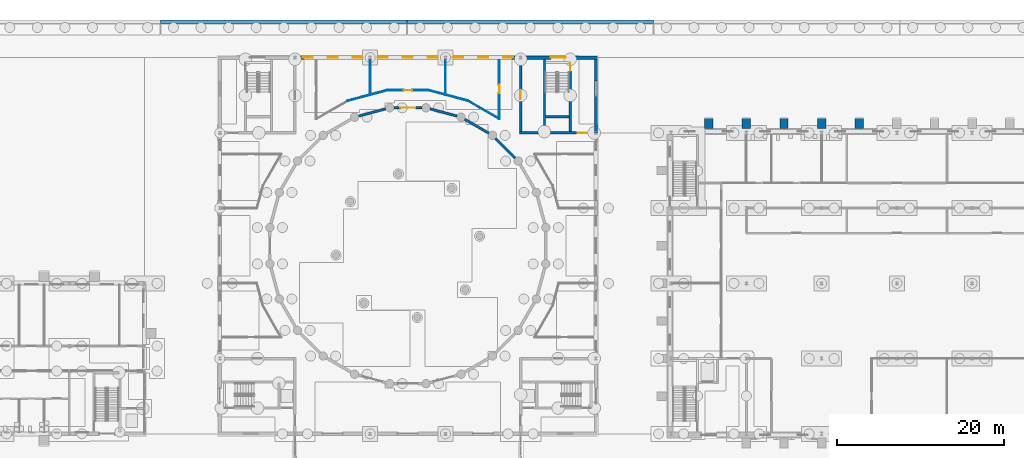
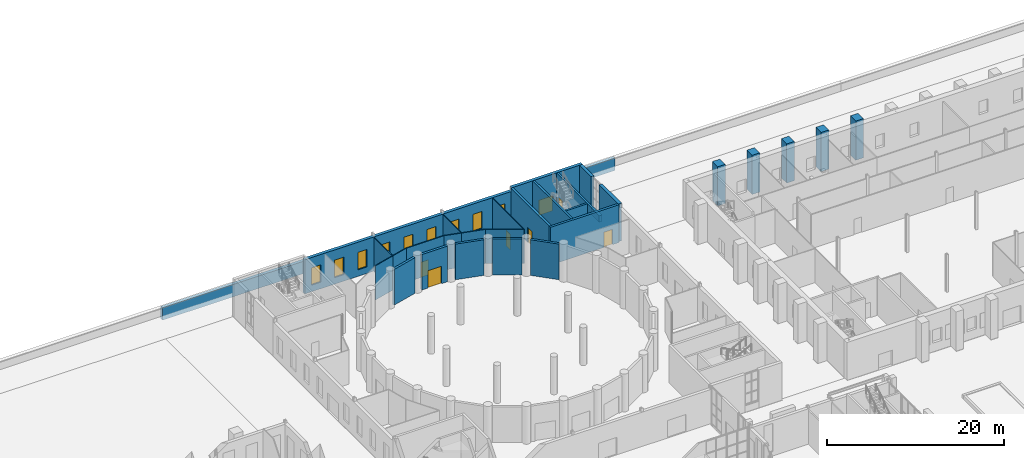
# One storey, part 109 of 168: 31 walls, 9 windows, 7 doors, 16 openings.
"""IFC4 building model written with IfcOpenShell, lengths in metres."""

from ifc_helpers import new_model, si_unit, direction, frame, frame_2d, origin, place, context, subcontext, project, spatial, rectangle, extrude, material, layer, layer_set, type_object, element, fill, save


model = new_model("IFC4")

# Units and contexts
model_context = context("Model", 3, precision=1e-05, world=origin(), true_north=direction((0.0, 1.0)))
body_context = subcontext(model_context, "Body", "Model", "MODEL_VIEW")
ifc_project = project(units=[si_unit("LENGTHUNIT", "METRE"), si_unit("AREAUNIT", "SQUARE_METRE"), si_unit("VOLUMEUNIT", "CUBIC_METRE"), si_unit("PLANEANGLEUNIT", "RADIAN"), si_unit("MASSUNIT", "GRAM", prefix="KILO")], contexts=[model_context])

# Site, building, storey
site_placement = place(None, origin())
site = spatial("IfcSite", under=ifc_project, at=site_placement, CompositionType="ELEMENT")
building_placement = place(site_placement, origin())
building = spatial("IfcBuilding", under=site, at=building_placement, Name="Golden Quay Civic Hall", CompositionType="ELEMENT")
storey_placement = place(building_placement, origin())
storey = spatial("IfcBuildingStorey", under=building, at=storey_placement, Name="L00", CompositionType="ELEMENT", Elevation=0.0)

# Walls
ifc_material_1 = material(Name="Concrete C40/50", Category="concrete")
ifc_layer_1 = layer(ifc_material_1, 0.39990234375)
ifc_layer_set_1 = layer_set([ifc_layer_1], Name="Boundary wall 400")
wall_type_1 = type_object("IfcWallType", Name="Boundary wall 400", PredefinedType="STANDARD", material=ifc_layer_set_1)
for number, where, z_axis, x_axis, name in (
    (1, (55.919921875, 112.300048828125, -0.60009765625), (0.0, 0.0, 1.0), (1.0, 0.0, 0.0), "Boundary wall run N3"),
    (2, (85.39990234375, 112.300048828125, -0.60009765625), (0.0, 0.0, 1.0), (1.0, 0.0, 0.0), "Boundary wall run N4"),
):
    element("IfcWall", number, at=place(storey_placement, frame(where, z_axis=z_axis, x_axis=x_axis)), inside=storey, type_object=wall_type_1, Name=name, PredefinedType="STANDARD", context=body_context, shape_type="SweptSolid", body=[
        extrude(rectangle(XDim=29.47998046875, YDim=0.39990234375, at=frame_2d((14.739990234375, 0.0))), origin(), (0.0, 0.0, 1.0), 1.7001953125),
    ])
ifc_material_2 = material(Name="Plasterboard on steel studs", Category="steel")
ifc_layer_2 = layer(ifc_material_2, 0.10009765625)
ifc_layer_set_2 = layer_set([ifc_layer_2], Name="Partition 100 stud")
wall_type_2 = type_object("IfcWallType", Name="Partition 100 stud", PredefinedType="PARTITIONING", material=ifc_layer_set_2)
for number, where, z_axis, x_axis, name in (
    (3, (81.0, 103.55029296875, 0.0), (0.0, 0.0, 1.0), (0.0, 1.0, 0.0), "Partition 9"),
    (4, (90.0, 103.55029296875, 0.0), (0.0, 0.0, 1.0), (0.0, 1.0, 0.0), "Partition 13"),
):
    element("IfcWall", number, at=place(storey_placement, frame(where, z_axis=z_axis, x_axis=x_axis)), inside=storey, type_object=wall_type_2, Name=name, PredefinedType="PARTITIONING", context=body_context, shape_type="SweptSolid", body=[
        extrude(rectangle(XDim=4.129638671875, YDim=0.10009765625, at=frame_2d((2.06494140625, 0.0))), origin(), (0.0, 0.0, 1.0), 4.7099609375),
    ])
ifc_material_3 = material(Name="Gypsum board on steel stud", Category="steel")
ifc_layer_3 = layer(ifc_material_3, 0.10009765625)
ifc_layer_set_3 = layer_set([ifc_layer_3], Name="Partition 100 stud fire EI 60")
wall_type_3 = type_object("IfcWallType", Name="Partition 100 stud fire EI 60", PredefinedType="PARTITIONING", material=ifc_layer_set_3)
wall_1_placement = place(storey_placement, frame((78.32080078125, 102.83251953125, 0.0), z_axis=(0.0, 0.0, 1.0), x_axis=(0.965935573016, 0.258782667083, 0.0)))
element("IfcWall", 5, at=wall_1_placement, inside=storey, type_object=wall_type_3, Name="Partition 12", PredefinedType="PARTITIONING", context=body_context, shape_type="SweptSolid", body=[
    extrude(rectangle(XDim=2.79443359375, YDim=0.10009765625, at=frame_2d((1.397216796875, 0.0))), origin(), (0.0, 0.0, 1.0), 4.7099609375),
])
wall_2_placement = place(storey_placement, frame((80.980712890625, 103.545166015625, 0.0), z_axis=(0.0, 0.0, 1.0), x_axis=(0.965910936298, 0.258874608915, 0.0)))
element("IfcWall", 6, at=wall_2_placement, inside=storey, type_object=wall_type_3, Name="Partition 14", PredefinedType="PARTITIONING", context=body_context, shape_type="SweptSolid", body=[
    extrude(rectangle(XDim=2.1435546875, YDim=0.10009765625, at=frame_2d((1.07177734375, 0.0))), origin(), (0.0, 0.0, 1.0), 4.7099609375),
])

# Wall, opening, door
wall_3_placement = place(storey_placement, frame((83.05126953125, 104.10009765625, 0.0), z_axis=(0.0, 0.0, 1.0), x_axis=(1.0, 0.0, 0.0)))
wall_3 = element("IfcWall", 7, at=wall_3_placement, inside=storey, type_object=wall_type_3, Name="Partition 15", PredefinedType="PARTITIONING", context=body_context, shape_type="SweptSolid", body=[
    extrude(rectangle(XDim=4.8974609375, YDim=0.10009765625, at=frame_2d((2.44873046875, 0.0))), origin(), (0.0, 0.0, 1.0), 4.7099609375),
])
opening_1_placement = place(wall_3_placement, frame((1.94873046875, 0.0, 0.0)))
opening_1 = element("IfcOpeningElement", 8, at=opening_1_placement, cuts=wall_3, Name="Opening L00-D197", PredefinedType="OPENING", context=body_context, shape_type="SweptSolid", body=[
    extrude(rectangle(XDim=1.0, YDim=2.10009765625, at=frame_2d((0.5, 1.050048828125))), frame((0.0, 0.06005859375, 0.0), z_axis=(0.0, -1.0, 0.0), x_axis=(1.0, 0.0, 0.0)), (0.0, 0.0, 1.0), 0.1201171875),
])
ifc_material_4 = material(Name="Timber", Category="wood")
door_type_1 = type_object("IfcDoorType", Name="Timber fire door FD30S 1000 x 2100", OperationType="SINGLE_SWING_LEFT", PredefinedType="DOOR", material=ifc_material_4)
door_1_placement = place(opening_1_placement, origin())
door_1 = element("IfcDoor", 9, at=door_1_placement, inside=storey, type_object=door_type_1, Name="Door Chamber Clerks' Office 1", OperationType="SINGLE_SWING_LEFT", OverallHeight=2.10009765625, OverallWidth=1.0, PredefinedType="DOOR", context=body_context, shape_type="SweptSolid", body=[
    extrude(rectangle(XDim=1.0, YDim=2.10009765625, at=frame_2d((0.5, 1.050048828125))), frame((0.0, 0.02490234375, 0.0), z_axis=(0.0, -1.0, 0.0), x_axis=(1.0, 0.0, 0.0)), (0.0, 0.0, 1.0), 0.050048828125),
])
fill(opening_1, door_1)

# Walls
wall_4_placement = place(storey_placement, frame((87.94873046875, 104.10009765625, 0.0), z_axis=(0.0, 0.0, 1.0), x_axis=(0.965910936298, -0.258874608915, 0.0)))
element("IfcWall", 10, at=wall_4_placement, inside=storey, type_object=wall_type_3, Name="Partition 16", PredefinedType="PARTITIONING", context=body_context, shape_type="SweptSolid", body=[
    extrude(rectangle(XDim=2.1435546875, YDim=0.10009765625, at=frame_2d((1.07177734375, 0.0))), origin(), (0.0, 0.0, 1.0), 4.7099609375),
])
wall_5_placement = place(storey_placement, frame((89.97998046875, 103.5556640625, 0.0), z_axis=(0.0, 0.0, 1.0), x_axis=(0.965935573016, -0.258782667083, 0.0)))
element("IfcWall", 11, at=wall_5_placement, inside=storey, type_object=wall_type_3, Name="Partition 17", PredefinedType="PARTITIONING", context=body_context, shape_type="SweptSolid", body=[
    extrude(rectangle(XDim=2.79443359375, YDim=0.10009765625, at=frame_2d((1.397216796875, 0.0))), origin(), (0.0, 0.0, 1.0), 4.7099609375),
])
wall_6_placement = place(storey_placement, frame((92.67919921875, 102.83251953125, 0.0), z_axis=(0.0, 0.0, 1.0), x_axis=(0.866029650479, -0.499992644437, 0.0)))
element("IfcWall", 12, at=wall_6_placement, inside=storey, type_object=wall_type_3, Name="Partition 18", PredefinedType="PARTITIONING", context=body_context, shape_type="SweptSolid", body=[
    extrude(rectangle(XDim=4.35400390625, YDim=0.10009765625, at=frame_2d((2.177001953125, 0.0))), origin(), (0.0, 0.0, 1.0), 4.7099609375),
])

# Wall, opening, door
wall_7_placement = place(storey_placement, frame((96.449951171875, 100.655517578125, 0.0), z_axis=(0.0, 0.0, 1.0), x_axis=(0.0, 1.0, 0.0)))
wall_7 = element("IfcWall", 13, at=wall_7_placement, inside=storey, type_object=wall_type_3, Name="Partition 19", PredefinedType="PARTITIONING", context=body_context, shape_type="SweptSolid", body=[
    extrude(rectangle(XDim=7.0244140625, YDim=0.10009765625, at=frame_2d((3.51220703125, 0.0))), origin(), (0.0, 0.0, 1.0), 4.7099609375),
])
opening_2_placement = place(wall_7_placement, frame((3.072265625, 0.0, 0.0)))
opening_2 = element("IfcOpeningElement", 14, at=opening_2_placement, cuts=wall_7, Name="Opening L00-D198", PredefinedType="OPENING", context=body_context, shape_type="SweptSolid", body=[
    extrude(rectangle(XDim=1.0, YDim=2.10009765625, at=frame_2d((0.5, 1.050048828125))), frame((0.0, 0.06005859375, 0.0), z_axis=(0.0, -1.0, 0.0), x_axis=(1.0, 0.0, 0.0)), (0.0, 0.0, 1.0), 0.1201171875),
])
door_2_placement = place(opening_2_placement, origin())
door_2 = element("IfcDoor", 15, at=door_2_placement, inside=storey, type_object=door_type_1, Name="Door Records Store", OperationType="SINGLE_SWING_LEFT", OverallHeight=2.10009765625, OverallWidth=1.0, PredefinedType="DOOR", context=body_context, shape_type="SweptSolid", body=[
    extrude(rectangle(XDim=1.0, YDim=2.10009765625, at=frame_2d((0.5, 1.050048828125))), frame((0.0, 0.02490234375, 0.0), z_axis=(0.0, -1.0, 0.0), x_axis=(1.0, 0.0, 0.0)), (0.0, 0.0, 1.0), 0.050048828125),
])
fill(opening_2, door_2)

ifc_material_5 = material(Name="Concrete C40/50", Category="concrete")
ifc_layer_4 = layer(ifc_material_5, 0.300048828125)
ifc_layer_set_4 = layer_set([ifc_layer_4], Name="Reinforced concrete core wall 300, Concrete C40/50")
wall_type_4 = type_object("IfcWallType", Name="Reinforced concrete core wall 300", PredefinedType="SHEAR", material=ifc_layer_set_4)
wall_8_placement = place(storey_placement, frame((107.800048828125, 99.0, 0.0), z_axis=(0.0, 0.0, 1.0), x_axis=(-1.0, 0.0, 0.0)))
wall_8 = element("IfcWall", 16, at=wall_8_placement, inside=storey, type_object=wall_type_4, Name="Core wall NE A", PredefinedType="SHEAR", context=body_context, shape_type="SweptSolid", body=[
    extrude(rectangle(XDim=8.949951171875, YDim=0.300048828125, at=frame_2d((4.47509765625, 0.0))), origin(), (0.0, 0.0, 1.0), 5.199951171875),
])
opening_3_placement = place(wall_8_placement, frame((0.85009765625, 0.0, 0.0)))
opening_3 = element("IfcOpeningElement", 17, at=opening_3_placement, cuts=wall_8, Name="Opening L00-D187", PredefinedType="OPENING", context=body_context, shape_type="SweptSolid", body=[
    extrude(rectangle(XDim=1.10009765625, YDim=2.10009765625, at=frame_2d((0.550048828125, 1.050048828125))), frame((0.0, 0.159912109375, 0.0), z_axis=(0.0, -1.0, 0.0), x_axis=(1.0, 0.0, 0.0)), (0.0, 0.0, 1.0), 0.320068359375),
])
ifc_material_6 = material(Name="Steel", Category="steel")
door_type_2 = type_object("IfcDoorType", Name="Steel fire door FD60 1100 x 2100", OperationType="SINGLE_SWING_LEFT", PredefinedType="DOOR", material=ifc_material_6)
door_3_placement = place(opening_3_placement, origin())
door_3 = element("IfcDoor", 18, at=door_3_placement, inside=storey, type_object=door_type_2, Name="Core lobby door NE", OperationType="SINGLE_SWING_LEFT", OverallHeight=2.10009765625, OverallWidth=1.10009765625, PredefinedType="DOOR", context=body_context, shape_type="SweptSolid", body=[
    extrude(rectangle(XDim=1.10009765625, YDim=2.10009765625, at=frame_2d((0.550048828125, 1.050048828125))), frame((0.0, 0.02490234375, 0.0), z_axis=(0.0, -1.0, 0.0), x_axis=(1.0, 0.0, 0.0)), (0.0, 0.0, 1.0), 0.050048828125),
])
fill(opening_3, door_3)

wall_9_placement = place(storey_placement, frame((99.0, 107.800048828125, 0.0), z_axis=(0.0, 0.0, 1.0), x_axis=(0.0, -1.0, 0.0)))
wall_9 = element("IfcWall", 19, at=wall_9_placement, inside=storey, type_object=wall_type_4, Name="Core wall NE B", PredefinedType="SHEAR", context=body_context, shape_type="SweptSolid", body=[
    extrude(rectangle(XDim=8.650146484375, YDim=0.300048828125, at=frame_2d((4.3251953125, 0.0))), origin(), (0.0, 0.0, 1.0), 5.199951171875),
])
opening_4_placement = place(wall_9_placement, frame((3.800048828125, 0.0, 0.0)))
opening_4 = element("IfcOpeningElement", 20, at=opening_4_placement, cuts=wall_9, Name="Opening L00-D188", PredefinedType="OPENING", context=body_context, shape_type="SweptSolid", body=[
    extrude(rectangle(XDim=1.0, YDim=2.10009765625, at=frame_2d((0.5, 1.050048828125))), frame((0.0, 0.159912109375, 0.0), z_axis=(0.0, -1.0, 0.0), x_axis=(1.0, 0.0, 0.0)), (0.0, 0.0, 1.0), 0.320068359375),
])
ifc_material_7 = material(Name="Steel", Category="steel")
door_type_3 = type_object("IfcDoorType", Name="Steel fire door FD60 1000 x 2100", OperationType="SINGLE_SWING_LEFT", PredefinedType="DOOR", material=ifc_material_7)
door_4_placement = place(opening_4_placement, origin())
door_4 = element("IfcDoor", 21, at=door_4_placement, inside=storey, type_object=door_type_3, Name="Service door NE", OperationType="SINGLE_SWING_LEFT", OverallHeight=2.10009765625, OverallWidth=1.0, PredefinedType="DOOR", context=body_context, shape_type="SweptSolid", body=[
    extrude(rectangle(XDim=1.0, YDim=2.10009765625, at=frame_2d((0.5, 1.050048828125))), frame((0.0, 0.02490234375, 0.0), z_axis=(0.0, -1.0, 0.0), x_axis=(1.0, 0.0, 0.0)), (0.0, 0.0, 1.0), 0.050048828125),
])
fill(opening_4, door_4)

ifc_material_8 = material(Name="Concrete C40/50", Category="concrete")
ifc_layer_5 = layer(ifc_material_8, 0.25)
ifc_layer_set_5 = layer_set([ifc_layer_5], Name="Reinforced concrete shaft wall 250, Concrete C40/50")
wall_type_5 = type_object("IfcWallType", Name="Reinforced concrete shaft wall 250", PredefinedType="SHEAR", material=ifc_layer_set_5)
wall_10_placement = place(storey_placement, frame((104.925048828125, 107.800048828125, 0.0), z_axis=(0.0, 0.0, 1.0), x_axis=(0.0, -1.0, 0.0)))
wall_10 = element("IfcWall", 22, at=wall_10_placement, inside=storey, type_object=wall_type_5, Name="Shaft wall NE 1", PredefinedType="SHEAR", context=body_context, shape_type="SweptSolid", body=[
    extrude(rectangle(XDim=8.650146484375, YDim=0.25, at=frame_2d((4.3251953125, 0.0))), origin(), (0.0, 0.0, 1.0), 5.199951171875),
])
opening_5_placement = place(wall_10_placement, frame((0.39990234375, 0.0, 0.0)))
opening_5 = element("IfcOpeningElement", 23, at=opening_5_placement, cuts=wall_10, Name="Opening L00-D186", PredefinedType="OPENING", context=body_context, shape_type="SweptSolid", body=[
    extrude(rectangle(XDim=1.0, YDim=2.10009765625, at=frame_2d((0.5, 1.050048828125))), frame((0.0, 0.135009765625, 0.0), z_axis=(0.0, -1.0, 0.0), x_axis=(1.0, 0.0, 0.0)), (0.0, 0.0, 1.0), 0.27001953125),
])
door_5_placement = place(opening_5_placement, frame((1.0, 0.0, 0.0), z_axis=(0.0, 0.0, 1.0), x_axis=(-1.0, 0.0, 0.0)))
door_5 = element("IfcDoor", 24, at=door_5_placement, inside=storey, type_object=door_type_2, Name="Stair door NE", OperationType="SINGLE_SWING_RIGHT", OverallHeight=2.10009765625, OverallWidth=1.0, PredefinedType="DOOR", context=body_context, shape_type="SweptSolid", body=[
    extrude(rectangle(XDim=1.0, YDim=2.10009765625, at=frame_2d((0.5, 1.050048828125))), frame((0.0, 0.025146484375, 0.0), z_axis=(0.0, -1.0, 0.0), x_axis=(1.0, 0.0, 0.0)), (0.0, 0.0, 1.0), 0.050048828125),
])
fill(opening_5, door_5)

# Walls
wall_11_placement = place(storey_placement, frame((101.824951171875, 107.800048828125, 0.0), z_axis=(0.0, 0.0, 1.0), x_axis=(0.0, -1.0, 0.0)))
element("IfcWall", 25, at=wall_11_placement, inside=storey, type_object=wall_type_5, Name="Shaft wall NE 2", PredefinedType="SHEAR", context=body_context, shape_type="SweptSolid", body=[
    extrude(rectangle(XDim=8.650146484375, YDim=0.25, at=frame_2d((4.3251953125, 0.0))), origin(), (0.0, 0.0, 1.0), 5.199951171875),
])
wall_12_placement = place(storey_placement, frame((104.800048828125, 100.925048828125, 0.0), z_axis=(0.0, 0.0, 1.0), x_axis=(-1.0, 0.0, 0.0)))
element("IfcWall", 26, at=wall_12_placement, inside=storey, type_object=wall_type_5, Name="Shaft wall NE 3", PredefinedType="SHEAR", context=body_context, shape_type="SweptSolid", body=[
    extrude(rectangle(XDim=2.85009765625, YDim=0.25, at=frame_2d((1.425048828125, 0.0))), origin(), (0.0, 0.0, 1.0), 5.199951171875),
])

# Wall, openings, windows
ifc_material_9 = material(Name="Brick masonry with render", Category="masonry")
ifc_layer_6 = layer(ifc_material_9, 0.39990234375)
ifc_layer_set_6 = layer_set([ifc_layer_6], Name="Rendered brick external wall 400")
wall_type_6 = type_object("IfcWallType", Name="Rendered brick external wall 400", PredefinedType="STANDARD", material=ifc_layer_set_6)
wall_13_placement = place(storey_placement, frame((72.0, 108.0, 0.0), z_axis=(0.0, 0.0, 1.0), x_axis=(1.0, 0.0, 0.0)))
wall_13 = element("IfcWall", 27, at=wall_13_placement, inside=storey, type_object=wall_type_6, Name="Base wall N 72", PredefinedType="STANDARD", context=body_context, shape_type="SweptSolid", body=[
    extrude(rectangle(XDim=27.0, YDim=0.39990234375, at=frame_2d((13.5, 0.0))), origin(), (0.0, 0.0, 1.0), 4.7099609375),
])
opening_6_placement = place(wall_13_placement, frame((0.89990234375, 0.0, 0.89990234375)))
opening_6 = element("IfcOpeningElement", 28, at=opening_6_placement, cuts=wall_13, Name="Opening WN7", PredefinedType="OPENING", context=body_context, shape_type="SweptSolid", body=[
    extrude(rectangle(XDim=1.199951171875, YDim=2.39990234375, at=frame_2d((0.60009765625, 1.199951171875))), frame((0.0, 0.2099609375, 0.0), z_axis=(0.0, -1.0, 0.0), x_axis=(1.0, 0.0, 0.0)), (0.0, 0.0, 1.0), 0.419921875),
])
opening_7_placement = place(wall_13_placement, frame((3.89990234375, 0.0, 0.89990234375)))
opening_7 = element("IfcOpeningElement", 29, at=opening_7_placement, cuts=wall_13, Name="Opening WN7", PredefinedType="OPENING", context=body_context, shape_type="SweptSolid", body=[
    extrude(rectangle(XDim=1.199951171875, YDim=2.39990234375, at=frame_2d((0.60009765625, 1.199951171875))), frame((0.0, 0.2099609375, 0.0), z_axis=(0.0, -1.0, 0.0), x_axis=(1.0, 0.0, 0.0)), (0.0, 0.0, 1.0), 0.419921875),
])
opening_8_placement = place(wall_13_placement, frame((6.89990234375, 0.0, 0.89990234375)))
opening_8 = element("IfcOpeningElement", 30, at=opening_8_placement, cuts=wall_13, Name="Opening WN7", PredefinedType="OPENING", context=body_context, shape_type="SweptSolid", body=[
    extrude(rectangle(XDim=1.199951171875, YDim=2.39990234375, at=frame_2d((0.60009765625, 1.199951171875))), frame((0.0, 0.2099609375, 0.0), z_axis=(0.0, -1.0, 0.0), x_axis=(1.0, 0.0, 0.0)), (0.0, 0.0, 1.0), 0.419921875),
])
opening_9_placement = place(wall_13_placement, frame((9.89990234375, 0.0, 0.89990234375)))
opening_9 = element("IfcOpeningElement", 31, at=opening_9_placement, cuts=wall_13, Name="Opening WN7", PredefinedType="OPENING", context=body_context, shape_type="SweptSolid", body=[
    extrude(rectangle(XDim=1.199951171875, YDim=2.39990234375, at=frame_2d((0.60009765625, 1.199951171875))), frame((0.0, 0.2099609375, 0.0), z_axis=(0.0, -1.0, 0.0), x_axis=(1.0, 0.0, 0.0)), (0.0, 0.0, 1.0), 0.419921875),
])
opening_10_placement = place(wall_13_placement, frame((12.89990234375, 0.0, 0.89990234375)))
opening_10 = element("IfcOpeningElement", 32, at=opening_10_placement, cuts=wall_13, Name="Opening WN7", PredefinedType="OPENING", context=body_context, shape_type="SweptSolid", body=[
    extrude(rectangle(XDim=1.199951171875, YDim=2.39990234375, at=frame_2d((0.60009765625, 1.199951171875))), frame((0.0, 0.2099609375, 0.0), z_axis=(0.0, -1.0, 0.0), x_axis=(1.0, 0.0, 0.0)), (0.0, 0.0, 1.0), 0.419921875),
])
opening_11_placement = place(wall_13_placement, frame((15.89990234375, 0.0, 0.89990234375)))
opening_11 = element("IfcOpeningElement", 33, at=opening_11_placement, cuts=wall_13, Name="Opening WN7", PredefinedType="OPENING", context=body_context, shape_type="SweptSolid", body=[
    extrude(rectangle(XDim=1.199951171875, YDim=2.39990234375, at=frame_2d((0.60009765625, 1.199951171875))), frame((0.0, 0.2099609375, 0.0), z_axis=(0.0, -1.0, 0.0), x_axis=(1.0, 0.0, 0.0)), (0.0, 0.0, 1.0), 0.419921875),
])
opening_12_placement = place(wall_13_placement, frame((18.89990234375, 0.0, 0.89990234375)))
opening_12 = element("IfcOpeningElement", 34, at=opening_12_placement, cuts=wall_13, Name="Opening WN7", PredefinedType="OPENING", context=body_context, shape_type="SweptSolid", body=[
    extrude(rectangle(XDim=1.199951171875, YDim=2.39990234375, at=frame_2d((0.60009765625, 1.199951171875))), frame((0.0, 0.2099609375, 0.0), z_axis=(0.0, -1.0, 0.0), x_axis=(1.0, 0.0, 0.0)), (0.0, 0.0, 1.0), 0.419921875),
])
opening_13_placement = place(wall_13_placement, frame((21.89990234375, 0.0, 0.89990234375)))
opening_13 = element("IfcOpeningElement", 35, at=opening_13_placement, cuts=wall_13, Name="Opening WN7", PredefinedType="OPENING", context=body_context, shape_type="SweptSolid", body=[
    extrude(rectangle(XDim=1.199951171875, YDim=2.39990234375, at=frame_2d((0.60009765625, 1.199951171875))), frame((0.0, 0.2099609375, 0.0), z_axis=(0.0, -1.0, 0.0), x_axis=(1.0, 0.0, 0.0)), (0.0, 0.0, 1.0), 0.419921875),
])
opening_14_placement = place(wall_13_placement, frame((24.89990234375, 0.0, 0.89990234375)))
opening_14 = element("IfcOpeningElement", 36, at=opening_14_placement, cuts=wall_13, Name="Opening WN7", PredefinedType="OPENING", context=body_context, shape_type="SweptSolid", body=[
    extrude(rectangle(XDim=1.199951171875, YDim=2.39990234375, at=frame_2d((0.60009765625, 1.199951171875))), frame((0.0, 0.2099609375, 0.0), z_axis=(0.0, -1.0, 0.0), x_axis=(1.0, 0.0, 0.0)), (0.0, 0.0, 1.0), 0.419921875),
])
ifc_material_10 = material(Name="Aluminium frame, double glazed", Category="aluminium")
window_type = type_object("IfcWindowType", Name="Window 1200 x 2400", PartitioningType="SINGLE_PANEL", PredefinedType="WINDOW", material=ifc_material_10)
window_1_placement = place(opening_6_placement, origin())
window_1 = element("IfcWindow", 37, at=window_1_placement, inside=storey, type_object=window_type, Name="Window N1", OverallHeight=2.39990234375, OverallWidth=1.199951171875, PartitioningType="SINGLE_PANEL", PredefinedType="WINDOW", context=body_context, shape_type="SweptSolid", body=[
    extrude(rectangle(XDim=1.199951171875, YDim=2.39990234375, at=frame_2d((0.60009765625, 1.199951171875))), frame((0.0, 0.030029296875, 0.0), z_axis=(0.0, -1.0, 0.0), x_axis=(1.0, 0.0, 0.0)), (0.0, 0.0, 1.0), 0.06005859375),
])
fill(opening_6, window_1)
window_2_placement = place(opening_7_placement, origin())
window_2 = element("IfcWindow", 38, at=window_2_placement, inside=storey, type_object=window_type, Name="Window N2", OverallHeight=2.39990234375, OverallWidth=1.199951171875, PartitioningType="SINGLE_PANEL", PredefinedType="WINDOW", context=body_context, shape_type="SweptSolid", body=[
    extrude(rectangle(XDim=1.199951171875, YDim=2.39990234375, at=frame_2d((0.60009765625, 1.199951171875))), frame((0.0, 0.030029296875, 0.0), z_axis=(0.0, -1.0, 0.0), x_axis=(1.0, 0.0, 0.0)), (0.0, 0.0, 1.0), 0.06005859375),
])
fill(opening_7, window_2)
window_3_placement = place(opening_8_placement, origin())
window_3 = element("IfcWindow", 39, at=window_3_placement, inside=storey, type_object=window_type, Name="Window N3", OverallHeight=2.39990234375, OverallWidth=1.199951171875, PartitioningType="SINGLE_PANEL", PredefinedType="WINDOW", context=body_context, shape_type="SweptSolid", body=[
    extrude(rectangle(XDim=1.199951171875, YDim=2.39990234375, at=frame_2d((0.60009765625, 1.199951171875))), frame((0.0, 0.030029296875, 0.0), z_axis=(0.0, -1.0, 0.0), x_axis=(1.0, 0.0, 0.0)), (0.0, 0.0, 1.0), 0.06005859375),
])
fill(opening_8, window_3)
window_4_placement = place(opening_9_placement, origin())
window_4 = element("IfcWindow", 40, at=window_4_placement, inside=storey, type_object=window_type, Name="Window N4", OverallHeight=2.39990234375, OverallWidth=1.199951171875, PartitioningType="SINGLE_PANEL", PredefinedType="WINDOW", context=body_context, shape_type="SweptSolid", body=[
    extrude(rectangle(XDim=1.199951171875, YDim=2.39990234375, at=frame_2d((0.60009765625, 1.199951171875))), frame((0.0, 0.030029296875, 0.0), z_axis=(0.0, -1.0, 0.0), x_axis=(1.0, 0.0, 0.0)), (0.0, 0.0, 1.0), 0.06005859375),
])
fill(opening_9, window_4)
window_5_placement = place(opening_10_placement, origin())
window_5 = element("IfcWindow", 41, at=window_5_placement, inside=storey, type_object=window_type, Name="Window N5", OverallHeight=2.39990234375, OverallWidth=1.199951171875, PartitioningType="SINGLE_PANEL", PredefinedType="WINDOW", context=body_context, shape_type="SweptSolid", body=[
    extrude(rectangle(XDim=1.199951171875, YDim=2.39990234375, at=frame_2d((0.60009765625, 1.199951171875))), frame((0.0, 0.030029296875, 0.0), z_axis=(0.0, -1.0, 0.0), x_axis=(1.0, 0.0, 0.0)), (0.0, 0.0, 1.0), 0.06005859375),
])
fill(opening_10, window_5)
window_6_placement = place(opening_11_placement, origin())
window_6 = element("IfcWindow", 42, at=window_6_placement, inside=storey, type_object=window_type, Name="Window N6", OverallHeight=2.39990234375, OverallWidth=1.199951171875, PartitioningType="SINGLE_PANEL", PredefinedType="WINDOW", context=body_context, shape_type="SweptSolid", body=[
    extrude(rectangle(XDim=1.199951171875, YDim=2.39990234375, at=frame_2d((0.60009765625, 1.199951171875))), frame((0.0, 0.030029296875, 0.0), z_axis=(0.0, -1.0, 0.0), x_axis=(1.0, 0.0, 0.0)), (0.0, 0.0, 1.0), 0.06005859375),
])
fill(opening_11, window_6)
window_7_placement = place(opening_12_placement, origin())
window_7 = element("IfcWindow", 43, at=window_7_placement, inside=storey, type_object=window_type, Name="Window N7", OverallHeight=2.39990234375, OverallWidth=1.199951171875, PartitioningType="SINGLE_PANEL", PredefinedType="WINDOW", context=body_context, shape_type="SweptSolid", body=[
    extrude(rectangle(XDim=1.199951171875, YDim=2.39990234375, at=frame_2d((0.60009765625, 1.199951171875))), frame((0.0, 0.030029296875, 0.0), z_axis=(0.0, -1.0, 0.0), x_axis=(1.0, 0.0, 0.0)), (0.0, 0.0, 1.0), 0.06005859375),
])
fill(opening_12, window_7)
window_8_placement = place(opening_13_placement, origin())
window_8 = element("IfcWindow", 44, at=window_8_placement, inside=storey, type_object=window_type, Name="Window N8", OverallHeight=2.39990234375, OverallWidth=1.199951171875, PartitioningType="SINGLE_PANEL", PredefinedType="WINDOW", context=body_context, shape_type="SweptSolid", body=[
    extrude(rectangle(XDim=1.199951171875, YDim=2.39990234375, at=frame_2d((0.60009765625, 1.199951171875))), frame((0.0, 0.030029296875, 0.0), z_axis=(0.0, -1.0, 0.0), x_axis=(1.0, 0.0, 0.0)), (0.0, 0.0, 1.0), 0.06005859375),
])
fill(opening_13, window_8)
window_9_placement = place(opening_14_placement, origin())
window_9 = element("IfcWindow", 45, at=window_9_placement, inside=storey, type_object=window_type, Name="Window N9", OverallHeight=2.39990234375, OverallWidth=1.199951171875, PartitioningType="SINGLE_PANEL", PredefinedType="WINDOW", context=body_context, shape_type="SweptSolid", body=[
    extrude(rectangle(XDim=1.199951171875, YDim=2.39990234375, at=frame_2d((0.60009765625, 1.199951171875))), frame((0.0, 0.030029296875, 0.0), z_axis=(0.0, -1.0, 0.0), x_axis=(1.0, 0.0, 0.0)), (0.0, 0.0, 1.0), 0.06005859375),
])
fill(opening_14, window_9)

# Wall, opening, door
ifc_material_11 = material(Name="Brick masonry with render", Category="masonry")
ifc_layer_7 = layer(ifc_material_11, 0.39990234375)
ifc_layer_set_7 = layer_set([ifc_layer_7], Name="Rendered brick external wall 400 fire EI 120")
wall_type_7 = type_object("IfcWallType", Name="Rendered brick external wall 400 fire EI 120", PredefinedType="STANDARD", material=ifc_layer_set_7)
wall_14_placement = place(storey_placement, frame((99.0, 108.0, 0.0), z_axis=(0.0, 0.0, 1.0), x_axis=(1.0, 0.0, 0.0)))
wall_14 = element("IfcWall", 46, at=wall_14_placement, inside=storey, type_object=wall_type_7, Name="Base wall N 99", PredefinedType="STANDARD", context=body_context, shape_type="SweptSolid", body=[
    extrude(rectangle(XDim=9.199951171875, YDim=0.39990234375, at=frame_2d((4.60009765625, 0.0))), origin(), (0.0, 0.0, 1.0), 5.199951171875),
])
opening_15_placement = place(wall_14_placement, frame((3.60009765625, 0.0, 0.0)))
opening_15 = element("IfcOpeningElement", 47, at=opening_15_placement, cuts=wall_14, Name="Opening L00-D037", PredefinedType="OPENING", context=body_context, shape_type="SweptSolid", body=[
    extrude(rectangle(XDim=1.800048828125, YDim=2.10009765625, at=frame_2d((0.89990234375, 1.050048828125))), frame((0.0, 0.2099609375, 0.0), z_axis=(0.0, -1.0, 0.0), x_axis=(1.0, 0.0, 0.0)), (0.0, 0.0, 1.0), 0.419921875),
])
ifc_material_12 = material(Name="Steel", Category="steel")
door_type_4 = type_object("IfcDoorType", Name="Steel double exit door FD60 1800 x 2100", OperationType="DOUBLE_DOOR_SINGLE_SWING", PredefinedType="DOOR", material=ifc_material_12)
door_6_placement = place(opening_15_placement, origin())
door_6 = element("IfcDoor", 48, at=door_6_placement, inside=storey, type_object=door_type_4, Name="Stair exit door", OperationType="DOUBLE_DOOR_SINGLE_SWING", OverallHeight=2.10009765625, OverallWidth=1.800048828125, PredefinedType="DOOR", context=body_context, shape_type="SweptSolid", body=[
    extrude(rectangle(XDim=1.800048828125, YDim=2.10009765625, at=frame_2d((0.89990234375, 1.050048828125))), frame((0.0, 0.02490234375, 0.0), z_axis=(0.0, -1.0, 0.0), x_axis=(1.0, 0.0, 0.0)), (0.0, 0.0, 1.0), 0.050048828125),
])
fill(opening_15, door_6)

# Walls
wall_15_placement = place(storey_placement, frame((108.0, 99.0, 0.0), z_axis=(0.0, 0.0, 1.0), x_axis=(0.0, 1.0, 0.0)))
element("IfcWall", 49, at=wall_15_placement, inside=storey, type_object=wall_type_7, Name="Base wall E 99", PredefinedType="STANDARD", context=body_context, shape_type="SweptSolid", body=[
    extrude(rectangle(XDim=4.39990234375, YDim=0.39990234375, at=frame_2d((2.199951171875, 0.0))), origin(), (0.0, 0.0, 1.0), 5.199951171875),
])
wall_16_placement = place(storey_placement, frame((108.0, 105.199951171875, 0.0), z_axis=(0.0, 0.0, 1.0), x_axis=(0.0, 1.0, 0.0)))
element("IfcWall", 50, at=wall_16_placement, inside=storey, type_object=wall_type_7, Name="Base wall E 99 (beyond the bay)", PredefinedType="STANDARD", context=body_context, shape_type="SweptSolid", body=[
    extrude(rectangle(XDim=2.60009765625, YDim=0.39990234375, at=frame_2d((1.300048828125, 0.0))), origin(), (0.0, 0.0, 1.0), 5.199951171875),
])
wall_17_placement = place(storey_placement, frame((108.0, 103.39990234375, 0.0), z_axis=(0.0, 0.0, 1.0), x_axis=(0.0, 1.0, 0.0)))
element("IfcWall", 51, at=wall_17_placement, inside=storey, type_object=wall_type_7, Name="Base wall E 99 sill", PredefinedType="STANDARD", context=body_context, shape_type="SweptSolid", body=[
    extrude(rectangle(XDim=1.800048828125, YDim=0.39990234375, at=frame_2d((0.89990234375, 0.0))), origin(), (0.0, 0.0, 1.0), 0.89990234375),
])
ifc_material_13 = material(Name="Concrete C30/37", Category="concrete")
ifc_layer_8 = layer(ifc_material_13, 0.300048828125)
ifc_layer_set_8 = layer_set([ifc_layer_8], Name="Rotunda enclosure wall 300")
wall_type_8 = type_object("IfcWallType", Name="Rotunda enclosure wall 300", PredefinedType="PARTITIONING", material=ifc_layer_set_8)
wall_18_placement = place(storey_placement, frame((98.349609375, 95.98486328125, 0.0), z_axis=(0.0, 0.0, 1.0), x_axis=(-0.707106781187, 0.707106781187, 0.0)))
element("IfcWall", 52, at=wall_18_placement, inside=storey, type_object=wall_type_8, Name="Rotunda wall 3", PredefinedType="PARTITIONING", context=body_context, shape_type="SweptSolid", body=[
    extrude(rectangle(XDim=3.34423828125, YDim=0.300048828125, at=frame_2d((1.672119140625, 0.0))), origin(), (0.0, 0.0, 1.0), 4.909912109375),
])
for number, where, z_axis, x_axis, name in (
    (53, (95.1982421875, 98.953369140625, 0.0), (0.0, 0.0, 1.0), (-0.866047010698, 0.49996257386, 0.0), "Rotunda wall 4"),
    (54, (91.3857421875, 101.0048828125, 0.0), (0.0, 0.0, 1.0), (-0.965916768663, 0.258852846257, 0.0), "Rotunda wall 5"),
):
    element("IfcWall", number, at=place(storey_placement, frame(where, z_axis=z_axis, x_axis=x_axis)), inside=storey, type_object=wall_type_8, Name=name, PredefinedType="PARTITIONING", context=body_context, shape_type="SweptSolid", body=[
        extrude(rectangle(XDim=3.344482421875, YDim=0.300048828125, at=frame_2d((1.67236328125, 0.0))), origin(), (0.0, 0.0, 1.0), 4.909912109375),
    ])

# Wall, opening, door
wall_19_placement = place(storey_placement, frame((87.17236328125, 102.0, 0.0), z_axis=(0.0, 0.0, 1.0), x_axis=(-1.0, 0.0, 0.0)))
wall_19 = element("IfcWall", 55, at=wall_19_placement, inside=storey, type_object=wall_type_8, Name="Rotunda wall 6", PredefinedType="PARTITIONING", context=body_context, shape_type="SweptSolid", body=[
    extrude(rectangle(XDim=3.3447265625, YDim=0.300048828125, at=frame_2d((1.67236328125, 0.0))), origin(), (0.0, 0.0, 1.0), 4.909912109375),
])
opening_16_placement = place(wall_19_placement, frame((0.772216796875, 0.0, 0.0)))
opening_16 = element("IfcOpeningElement", 56, at=opening_16_placement, cuts=wall_19, Name="Opening L00-D192", PredefinedType="OPENING", context=body_context, shape_type="SweptSolid", body=[
    extrude(rectangle(XDim=1.800048828125, YDim=2.39990234375, at=frame_2d((0.89990234375, 1.199951171875))), frame((0.0, 0.159912109375, 0.0), z_axis=(0.0, -1.0, 0.0), x_axis=(1.0, 0.0, 0.0)), (0.0, 0.0, 1.0), 0.320068359375),
])
ifc_material_14 = material(Name="Timber", Category="wood")
door_type_5 = type_object("IfcDoorType", Name="Timber double fire door FD30S 1800 x 2400", OperationType="DOUBLE_DOOR_SINGLE_SWING", PredefinedType="DOOR", material=ifc_material_14)
door_7_placement = place(opening_16_placement, frame((1.800048828125, 0.0, 0.0), z_axis=(0.0, 0.0, 1.0), x_axis=(-1.0, 0.0, 0.0)))
door_7 = element("IfcDoor", 57, at=door_7_placement, inside=storey, type_object=door_type_5, Name="Rotunda door", OperationType="DOUBLE_DOOR_SINGLE_SWING", OverallHeight=2.39990234375, OverallWidth=1.800048828125, PredefinedType="DOOR", context=body_context, shape_type="SweptSolid", body=[
    extrude(rectangle(XDim=1.800048828125, YDim=2.39990234375, at=frame_2d((0.900146484375, 1.199951171875))), frame((0.0, 0.025146484375, 0.0), z_axis=(0.0, -1.0, 0.0), x_axis=(1.0, 0.0, 0.0)), (0.0, 0.0, 1.0), 0.050048828125),
])
fill(opening_16, door_7)

# Walls
wall_20_placement = place(storey_placement, frame((82.8447265625, 101.87060546875, 0.0), z_axis=(0.0, 0.0, 1.0), x_axis=(-0.965916768663, -0.258852846257, 0.0)))
element("IfcWall", 58, at=wall_20_placement, inside=storey, type_object=wall_type_8, Name="Rotunda wall 7", PredefinedType="PARTITIONING", context=body_context, shape_type="SweptSolid", body=[
    extrude(rectangle(XDim=3.344482421875, YDim=0.300048828125, at=frame_2d((1.67236328125, 0.0))), origin(), (0.0, 0.0, 1.0), 4.909912109375),
])
ifc_material_15 = material(Name="Limestone, rusticated facing", Category="masonry")
ifc_layer_9 = layer(ifc_material_15, 1.199951171875)
ifc_layer_set_9 = layer_set([ifc_layer_9], Name="Stone base pier 1000 x 1200")
wall_type_9 = type_object("IfcWallType", Name="Stone base pier 1000 x 1200", PredefinedType="STANDARD", material=ifc_layer_set_9)
for number, where, z_axis, x_axis, name in (
    (59, (121.0, 100.10009765625, 0.0), (0.0, 0.0, 1.0), (1.0, 0.0, 0.0), "Stone base pier 1000 x 1200 L00 10"),
    (60, (125.5, 100.10009765625, 0.0), (0.0, 0.0, 1.0), (1.0, 0.0, 0.0), "Stone base pier 1000 x 1200 L00 11"),
    (61, (130.0, 100.10009765625, 0.0), (0.0, 0.0, 1.0), (1.0, 0.0, 0.0), "Stone base pier 1000 x 1200 L00 12"),
    (62, (134.5, 100.10009765625, 0.0), (0.0, 0.0, 1.0), (1.0, 0.0, 0.0), "Stone base pier 1000 x 1200 L00 13"),
    (63, (139.0, 100.10009765625, 0.0), (0.0, 0.0, 1.0), (1.0, 0.0, 0.0), "Stone base pier 1000 x 1200 L00 14"),
):
    element("IfcWall", number, at=place(storey_placement, frame(where, z_axis=z_axis, x_axis=x_axis)), inside=storey, type_object=wall_type_9, Name=name, PredefinedType="STANDARD", context=body_context, shape_type="SweptSolid", body=[
        extrude(rectangle(XDim=1.0, YDim=1.199951171875, at=frame_2d((0.5, 0.0))), origin(), (0.0, 0.0, 1.0), 5.39990234375),
    ])

save(model, "model.ifc")
